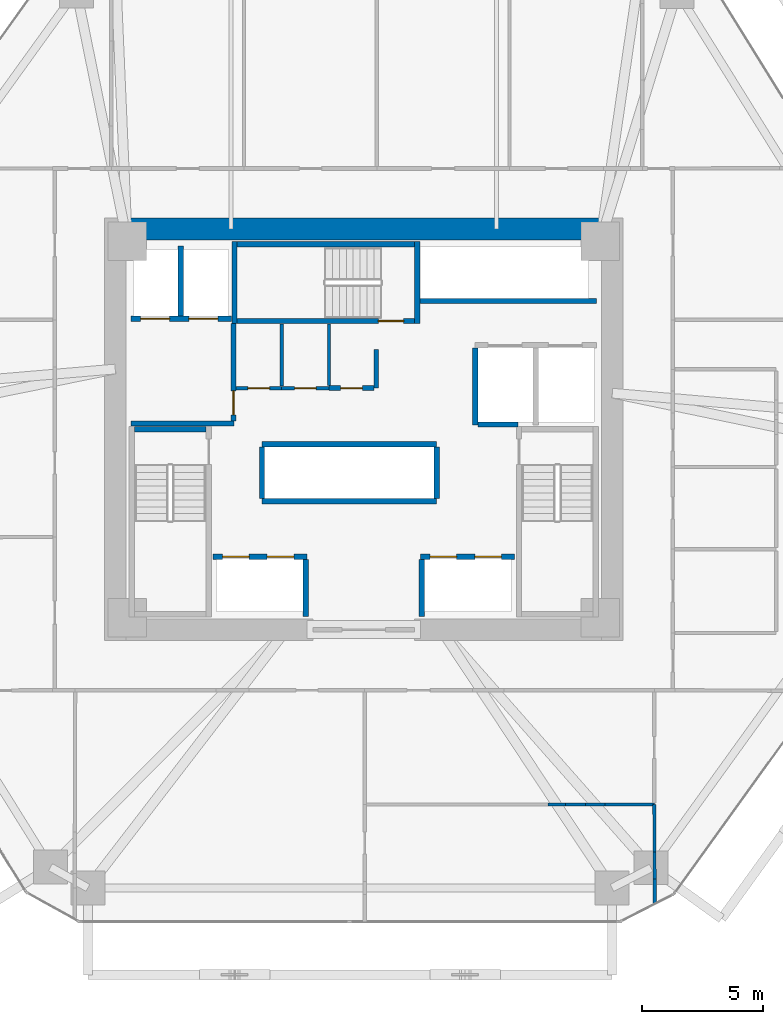
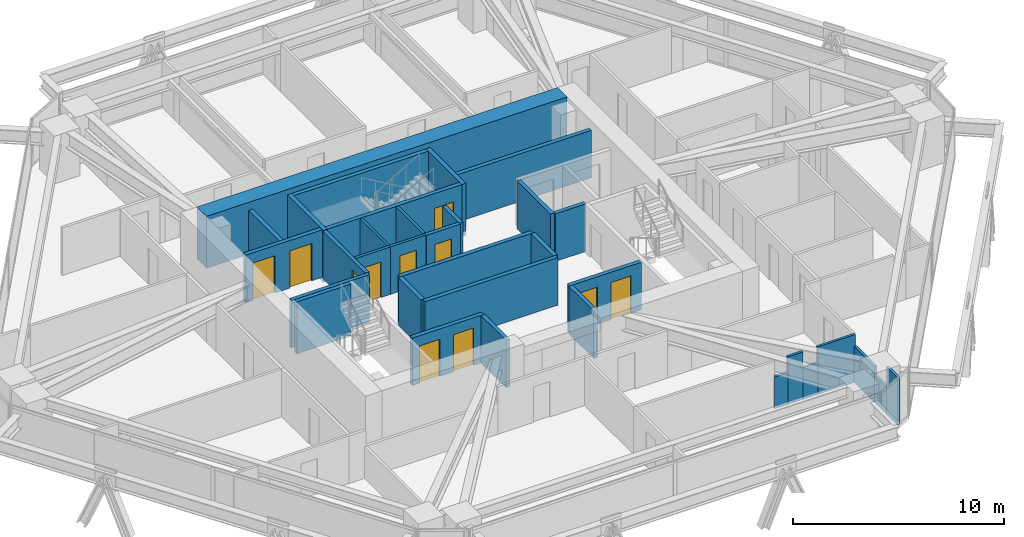
# One storey, part 14 of 18: 34 walls, 11 doors, 11 openings.
"""IFC4 building model written with IfcOpenShell, lengths in metres."""

from ifc_helpers import new_model, si_unit, direction, frame, frame_2d, origin, place, context, subcontext, project, spatial, rectangle, extrude, source, transform, mapped, material, layer, layer_set, type_object, type_shapes, element, fill, save


model = new_model("IFC4")

# Units and contexts
model_context = context("Model", 3, precision=1e-05, world=origin(), true_north=direction((0.0, 1.0)))
body_context = subcontext(model_context, "Body", "Model", "MODEL_VIEW")
ifc_project = project(units=[si_unit("LENGTHUNIT", "METRE"), si_unit("AREAUNIT", "SQUARE_METRE"), si_unit("VOLUMEUNIT", "CUBIC_METRE"), si_unit("PLANEANGLEUNIT", "RADIAN"), si_unit("MASSUNIT", "GRAM", prefix="KILO")], contexts=[model_context])

# Site, building, storey
site_placement = place(None, origin())
site = spatial("IfcSite", under=ifc_project, at=site_placement, CompositionType="ELEMENT")
building_placement = place(site_placement, origin())
building = spatial("IfcBuilding", under=site, at=building_placement, Name="Durnholm Broadcast Tower", CompositionType="ELEMENT")
storey_placement = place(building_placement, frame((0.0, 0.0, 78.300048828125)))
storey = spatial("IfcBuildingStorey", under=building, at=storey_placement, Name="L20", CompositionType="ELEMENT", Elevation=78.300048828125)

# Walls
ifc_material_1 = material(Name="Concrete C70/85", Category="concrete")
ifc_layer_1 = layer(ifc_material_1, 0.89990234375)
ifc_layer_set_1 = layer_set([ifc_layer_1], Name="Concrete C70/85")
wall_type_1 = type_object("IfcWallType", Name="WALL-CW-900", PredefinedType="SHEAR", material=ifc_layer_set_1)
wall_1_placement = place(storey_placement, frame((-9.85009765625, 8.300048828125, 0.0), z_axis=(0.0, 0.0, 1.0), x_axis=(1.0, 0.0, 0.0)))
element("IfcWall", 1, at=wall_1_placement, inside=storey, type_object=wall_type_1, Name="L20 central core shear wall CW-N", PredefinedType="SHEAR", context=body_context, shape_type="SweptSolid", body=[
    extrude(rectangle(XDim=19.7001953125, YDim=0.89990234375, at=frame_2d((9.85009765625, 0.0))), origin(), (0.0, 0.0, 1.0), 3.0),
])
ifc_material_2 = material(Name="Fire-Rated Gypsum Shaftwall", Category="concrete")
ifc_layer_2 = layer(ifc_material_2, 0.199951171875)
ifc_layer_set_2 = layer_set([ifc_layer_2], Name="Fire-Rated Gypsum Shaftwall")
wall_type_2 = type_object("IfcWallType", Name="WALL-LOB-200", PredefinedType="SOLIDWALL", material=ifc_layer_set_2)
wall_2_placement = place(storey_placement, frame((-9.64990234375, 0.25, 0.0), z_axis=(0.0, 0.0, 1.0), x_axis=(1.0, 0.0, 0.0)))
element("IfcWall", 2, at=wall_2_placement, inside=storey, type_object=wall_type_2, Name="L20 Fire Service Access Elevator lobby south wall", PredefinedType="SOLIDWALL", context=body_context, shape_type="SweptSolid", body=[
    extrude(rectangle(XDim=4.27001953125, YDim=0.199951171875, at=frame_2d((2.135009765625, 0.0))), origin(), (0.0, 0.0, 1.0), 2.744873046875),
])

# Wall, opening, door
wall_3_placement = place(storey_placement, frame((-5.39990234375, 0.35400390625, 0.0), z_axis=(0.0, 0.0, 1.0), x_axis=(0.0, 1.0, 0.0)))
wall_3 = element("IfcWall", 3, at=wall_3_placement, inside=storey, type_object=wall_type_2, Name="L20 Fire Service Access Elevator lobby east fire wall", PredefinedType="SOLIDWALL", context=body_context, shape_type="SweptSolid", body=[
    extrude(rectangle(XDim=4.02587890625, YDim=0.199951171875, at=frame_2d((2.012939453125, 0.0))), origin(), (0.0, 0.0, 1.0), 2.744873046875),
])
opening_1_placement = place(wall_3_placement, frame((0.24609375, 0.0, 0.0)))
opening_1 = element("IfcOpeningElement", 4, at=opening_1_placement, cuts=wall_3, Name="Opening DL-60L", PredefinedType="OPENING", context=body_context, shape_type="SweptSolid", body=[
    extrude(rectangle(XDim=1.0, YDim=2.14990234375, at=frame_2d((0.5, 1.074951171875))), frame((0.0, 0.10986328125, 0.0), z_axis=(0.0, -1.0, 0.0), x_axis=(1.0, 0.0, 0.0)), (0.0, 0.0, 1.0), 0.219970703125),
])
ifc_material_3 = material(Name="Fire-Rated Timber/Steel Door", Category="steel")
ifc_layer_3 = layer(ifc_material_3, 0.050048828125)
ifc_layer_set_3 = layer_set([ifc_layer_3], Name="Fire-Rated Timber/Steel Door")
door_type_1 = type_object("IfcDoorType", Name="DOOR-LOB-FD60-L", OperationType="NOTDEFINED", PredefinedType="DOOR", material=ifc_layer_set_3)
shared_shape_1 = source(origin(), body_context, "Body", "SweptSolid", [
    extrude(rectangle(XDim=1.0, YDim=2.14990234375, at=frame_2d((0.5, 1.074951171875))), frame((0.0, 0.02490234375, 0.0), z_axis=(0.0, -1.0, 0.0), x_axis=(1.0, 0.0, 0.0)), (0.0, 0.0, 1.0), 0.050048828125),
])
type_shapes(door_type_1, [shared_shape_1])
door_1_placement = place(opening_1_placement, origin())
door_1 = element("IfcDoor", 5, at=door_1_placement, inside=storey, type_object=door_type_1, Name="L20 Fire Service Access Elevator lobby smoke door", OperationType="SINGLE_SWING_LEFT", OverallHeight=2.14990234375, OverallWidth=1.0, PredefinedType="DOOR", context=body_context, shape_type="MappedRepresentation", body=[
    mapped(shared_shape_1, transform((0.0, 0.0, 0.0), x_axis=(1.0, 0.0, 0.0), y_axis=(0.0, 1.0, 0.0), z_axis=(0.0, 0.0, 1.0), scale=1.0)),
])
fill(opening_1, door_1)

# Wall
wall_4_placement = place(storey_placement, frame((0.52001953125, 3.300048828125, 0.0), z_axis=(0.0, 0.0, 1.0), x_axis=(0.0, -1.0, 0.0)))
element("IfcWall", 6, at=wall_4_placement, inside=storey, type_object=wall_type_2, Name="L20 Core Telecom Patch Room corridor partition", PredefinedType="SOLIDWALL", context=body_context, shape_type="SweptSolid", body=[
    extrude(rectangle(XDim=1.590087890625, YDim=0.199951171875, at=frame_2d((0.794921875, 0.0))), origin(), (0.0, 0.0, 1.0), 2.744873046875),
])

# Wall, opening, door
wall_5_placement = place(storey_placement, frame((0.416015625, 1.7099609375, 0.0), z_axis=(0.0, 0.0, 1.0), x_axis=(-1.0, 0.0, 0.0)))
wall_5 = element("IfcWall", 7, at=wall_5_placement, inside=storey, type_object=wall_type_2, Name="L20 Core Telecom Patch Room corridor partition", PredefinedType="SOLIDWALL", context=body_context, shape_type="SweptSolid", body=[
    extrude(rectangle(XDim=1.85595703125, YDim=0.199951171875, at=frame_2d((0.927978515625, 0.0))), origin(), (0.0, 0.0, 1.0), 2.744873046875),
])
opening_2_placement = place(wall_5_placement, frame((0.47802734375, 0.0, 0.0)))
opening_2 = element("IfcOpeningElement", 8, at=opening_2_placement, cuts=wall_5, Name="Opening DC-60L", PredefinedType="OPENING", context=body_context, shape_type="SweptSolid", body=[
    extrude(rectangle(XDim=0.89990234375, YDim=2.050048828125, at=frame_2d((0.449951171875, 1.02490234375))), frame((0.0, 0.10986328125, 0.0), z_axis=(0.0, -1.0, 0.0), x_axis=(1.0, 0.0, 0.0)), (0.0, 0.0, 1.0), 0.219970703125),
])
ifc_material_4 = material(Name="Fire-Rated Core Service Door", Category="steel")
ifc_layer_4 = layer(ifc_material_4, 0.050048828125)
ifc_layer_set_4 = layer_set([ifc_layer_4], Name="Fire-Rated Core Service Door")
door_type_2 = type_object("IfcDoorType", Name="DOOR-CORE-FD60-L", OperationType="NOTDEFINED", PredefinedType="DOOR", material=ifc_layer_set_4)
shared_shape_2 = source(origin(), body_context, "Body", "SweptSolid", [
    extrude(rectangle(XDim=0.89990234375, YDim=2.050048828125, at=frame_2d((0.449951171875, 1.02490234375))), frame((0.0, 0.02490234375, 0.0), z_axis=(0.0, -1.0, 0.0), x_axis=(1.0, 0.0, 0.0)), (0.0, 0.0, 1.0), 0.050048828125),
])
type_shapes(door_type_2, [shared_shape_2])
door_2_placement = place(opening_2_placement, origin())
door_2 = element("IfcDoor", 9, at=door_2_placement, inside=storey, type_object=door_type_2, Name="L20 Core Telecom Patch Room entrance door", OperationType="SINGLE_SWING_LEFT", OverallHeight=2.050048828125, OverallWidth=0.89990234375, PredefinedType="DOOR", context=body_context, shape_type="MappedRepresentation", body=[
    mapped(shared_shape_2, transform((0.0, 0.0, 0.0), x_axis=(1.0, 0.0, 0.0), y_axis=(0.0, 1.0, 0.0), z_axis=(0.0, 0.0, 1.0), scale=1.0)),
])
fill(opening_2, door_2)

# Walls
ifc_material_5 = material(Name="Gypsum Metal Stud Partition", Category="concrete")
ifc_layer_5 = layer(ifc_material_5, 0.135009765625)
ifc_layer_set_5 = layer_set([ifc_layer_5], Name="Gypsum Metal Stud Partition")
wall_type_3 = type_object("IfcWallType", Name="WALL-PART-135", PredefinedType="PARTITIONING", material=ifc_layer_set_5)
wall_6_placement = place(storey_placement, frame((-3.39990234375, 4.375, 0.0), z_axis=(0.0, 0.0, 1.0), x_axis=(0.0, -1.0, 0.0)))
element("IfcWall", 10, at=wall_6_placement, inside=storey, type_object=wall_type_3, Name="L20 room dividing partition 1.2", PredefinedType="PARTITIONING", context=body_context, shape_type="SweptSolid", body=[
    extrude(rectangle(XDim=2.5859375, YDim=0.135009765625, at=frame_2d((1.29296875, 0.0))), origin(), (0.0, 0.0, 1.0), 2.744873046875),
])
wall_7_placement = place(storey_placement, frame((-1.43994140625, 4.375, 0.0), z_axis=(0.0, 0.0, 1.0), x_axis=(0.0, -1.0, 0.0)))
element("IfcWall", 11, at=wall_7_placement, inside=storey, type_object=wall_type_3, Name="L20 room dividing partition 2.3", PredefinedType="PARTITIONING", context=body_context, shape_type="SweptSolid", body=[
    extrude(rectangle(XDim=2.56103515625, YDim=0.135009765625, at=frame_2d((1.280517578125, 0.0))), origin(), (0.0, 0.0, 1.0), 2.744873046875),
])
wall_8_placement = place(storey_placement, frame((8.35791015625, -15.544921875, 0.0), z_axis=(0.0, 0.0, 1.0), x_axis=(1.0, 0.0, 0.0)))
element("IfcWall", 12, at=wall_8_placement, inside=storey, type_object=wall_type_3, Name="L20 room dividing partition 15.16", PredefinedType="PARTITIONING", context=body_context, shape_type="SweptSolid", body=[
    extrude(rectangle(XDim=0.831787109375, YDim=0.135009765625, at=frame_2d((0.416015625, 0.0))), origin(), (0.0, 0.0, 1.0), 2.744873046875),
])
wall_9_placement = place(storey_placement, frame((9.995361328125, -15.544921875, 0.0), z_axis=(0.0, 0.0, 1.0), x_axis=(1.0, 0.0, 0.0)))
element("IfcWall", 13, at=wall_9_placement, inside=storey, type_object=wall_type_3, Name="L20 room dividing partition 15.16", PredefinedType="PARTITIONING", context=body_context, shape_type="SweptSolid", body=[
    extrude(rectangle(XDim=2.044677734375, YDim=0.135009765625, at=frame_2d((1.0224609375, 0.0))), origin(), (0.0, 0.0, 1.0), 2.744873046875),
])
wall_10_placement = place(storey_placement, frame((7.633544921875, -15.544921875, 0.0), z_axis=(0.0, 0.0, 1.0), x_axis=(1.0, 0.0, 0.0)))
element("IfcWall", 14, at=wall_10_placement, inside=storey, type_object=wall_type_3, Name="L20 room dividing partition 15.16", PredefinedType="PARTITIONING", context=body_context, shape_type="SweptSolid", body=[
    extrude(rectangle(XDim=0.724365234375, YDim=0.135009765625, at=frame_2d((0.3623046875, 0.0))), origin(), (0.0, 0.0, 1.0), 1.830078125),
])
wall_11_placement = place(storey_placement, frame((9.189697265625, -15.544921875, 0.0), z_axis=(0.0, 0.0, 1.0), x_axis=(1.0, 0.0, 0.0)))
element("IfcWall", 15, at=wall_11_placement, inside=storey, type_object=wall_type_3, Name="L20 room dividing partition 15.16", PredefinedType="PARTITIONING", context=body_context, shape_type="SweptSolid", body=[
    extrude(rectangle(XDim=0.8056640625, YDim=0.135009765625, at=frame_2d((0.40283203125, 0.0))), origin(), (0.0, 0.0, 1.0), 1.830078125),
])
wall_12_placement = place(storey_placement, frame((12.0400390625, -15.544921875, 0.0), z_axis=(0.0, 0.0, 1.0), x_axis=(0.004326288313, -0.999990641571, 0.0)))
element("IfcWall", 16, at=wall_12_placement, inside=storey, type_object=wall_type_3, Name="L20 room dividing partition 15.17", PredefinedType="PARTITIONING", context=body_context, shape_type="SweptSolid", body=[
    extrude(rectangle(XDim=1.97509765625, YDim=0.135009765625, at=frame_2d((0.987548828125, 0.0))), origin(), (0.0, 0.0, 1.0), 2.079833984375),
])
wall_13_placement = place(storey_placement, frame((12.0537109375, -18.634521484375, 0.0), z_axis=(0.0, 0.0, 1.0), x_axis=(0.004268398394, -0.999990890346, 0.0)))
element("IfcWall", 17, at=wall_13_placement, inside=storey, type_object=wall_type_3, Name="L20 room dividing partition 15.17", PredefinedType="PARTITIONING", context=body_context, shape_type="SweptSolid", body=[
    extrude(rectangle(XDim=1.029541015625, YDim=0.135009765625, at=frame_2d((0.5146484375, 0.0))), origin(), (0.0, 0.0, 1.0), 2.744873046875),
])
wall_14_placement = place(storey_placement, frame((12.048583984375, -17.52001953125, 0.0), z_axis=(0.0, 0.0, 1.0), x_axis=(0.004600170384, -0.99998941916, 0.0)))
element("IfcWall", 18, at=wall_14_placement, inside=storey, type_object=wall_type_3, Name="L20 room dividing partition 15.17", PredefinedType="PARTITIONING", context=body_context, shape_type="SweptSolid", body=[
    extrude(rectangle(XDim=1.114501953125, YDim=0.135009765625, at=frame_2d((0.55712890625, 0.0))), origin(), (0.0, 0.0, 1.0), 1.5771484375),
])

# Wall, opening, door
ifc_material_6 = material(Name="Acoustic Gypsum Stud Partition", Category="concrete")
ifc_layer_6 = layer(ifc_material_6, 0.14990234375)
ifc_layer_set_6 = layer_set([ifc_layer_6], Name="Acoustic Gypsum Stud Partition")
wall_type_4 = type_object("IfcWallType", Name="WALL-PART-150", PredefinedType="PARTITIONING", material=ifc_layer_set_6)
wall_15_placement = place(storey_placement, frame((-3.39990234375, 1.7099609375, 0.0), z_axis=(0.0, 0.0, 1.0), x_axis=(-1.0, 0.0, 0.0)))
wall_15 = element("IfcWall", 19, at=wall_15_placement, inside=storey, type_object=wall_type_4, Name="L20 Core Copy and Print Closet corridor partition", PredefinedType="PARTITIONING", context=body_context, shape_type="SweptSolid", body=[
    extrude(rectangle(XDim=1.89599609375, YDim=0.14990234375, at=frame_2d((0.947998046875, 0.0))), origin(), (0.0, 0.0, 1.0), 2.744873046875),
])
opening_3_placement = place(wall_15_placement, frame((0.498046875, 0.0, 0.0)))
opening_3 = element("IfcOpeningElement", 20, at=opening_3_placement, cuts=wall_15, Name="Opening DC-60L", PredefinedType="OPENING", context=body_context, shape_type="SweptSolid", body=[
    extrude(rectangle(XDim=0.89990234375, YDim=2.050048828125, at=frame_2d((0.449951171875, 1.02490234375))), frame((0.0, 0.0849609375, 0.0), z_axis=(0.0, -1.0, 0.0), x_axis=(1.0, 0.0, 0.0)), (0.0, 0.0, 1.0), 0.169921875),
])
door_3_placement = place(opening_3_placement, origin())
door_3 = element("IfcDoor", 21, at=door_3_placement, inside=storey, type_object=door_type_2, Name="L20 Core Copy and Print Closet entrance door", OperationType="SINGLE_SWING_LEFT", OverallHeight=2.050048828125, OverallWidth=0.89990234375, PredefinedType="DOOR", context=body_context, shape_type="MappedRepresentation", body=[
    mapped(shared_shape_2, transform((0.0, 0.0, 0.0), x_axis=(1.0, 0.0, 0.0), y_axis=(0.0, 1.0, 0.0), z_axis=(0.0, 0.0, 1.0), scale=1.0)),
])
fill(opening_3, door_3)

wall_16_placement = place(storey_placement, frame((-1.43994140625, 1.7099609375, 0.0), z_axis=(0.0, 0.0, 1.0), x_axis=(-1.0, 0.0, 0.0)))
wall_16 = element("IfcWall", 22, at=wall_16_placement, inside=storey, type_object=wall_type_4, Name="L20 Core Janitor Supply Closet corridor partition", PredefinedType="PARTITIONING", context=body_context, shape_type="SweptSolid", body=[
    extrude(rectangle(XDim=1.9599609375, YDim=0.14990234375, at=frame_2d((0.97998046875, 0.0))), origin(), (0.0, 0.0, 1.0), 2.744873046875),
])
opening_4_placement = place(wall_16_placement, frame((0.530029296875, 0.0, 0.0)))
opening_4 = element("IfcOpeningElement", 23, at=opening_4_placement, cuts=wall_16, Name="Opening DC-60R", PredefinedType="OPENING", context=body_context, shape_type="SweptSolid", body=[
    extrude(rectangle(XDim=0.89990234375, YDim=2.050048828125, at=frame_2d((0.449951171875, 1.02490234375))), frame((0.0, 0.0849609375, 0.0), z_axis=(0.0, -1.0, 0.0), x_axis=(1.0, 0.0, 0.0)), (0.0, 0.0, 1.0), 0.169921875),
])
ifc_layer_7 = layer(ifc_material_4, 0.050048828125)
ifc_layer_set_7 = layer_set([ifc_layer_7], Name="Fire-Rated Core Service Door")
door_type_3 = type_object("IfcDoorType", Name="DOOR-CORE-FD60-R", OperationType="NOTDEFINED", PredefinedType="DOOR", material=ifc_layer_set_7)
shared_shape_3 = source(origin(), body_context, "Body", "SweptSolid", [
    extrude(rectangle(XDim=0.89990234375, YDim=2.050048828125, at=frame_2d((0.449951171875, 1.02490234375))), frame((0.0, 0.02490234375, 0.0), z_axis=(0.0, -1.0, 0.0), x_axis=(1.0, 0.0, 0.0)), (0.0, 0.0, 1.0), 0.050048828125),
])
type_shapes(door_type_3, [shared_shape_3])
door_4_placement = place(opening_4_placement, origin())
door_4 = element("IfcDoor", 24, at=door_4_placement, inside=storey, type_object=door_type_3, Name="L20 Core Janitor Supply Closet entrance door", OperationType="SINGLE_SWING_RIGHT", OverallHeight=2.050048828125, OverallWidth=0.89990234375, PredefinedType="DOOR", context=body_context, shape_type="MappedRepresentation", body=[
    mapped(shared_shape_3, transform((0.0, 0.0, 0.0), x_axis=(1.0, 0.0, 0.0), y_axis=(0.0, 1.0, 0.0), z_axis=(0.0, 0.0, 1.0), scale=1.0)),
])
fill(opening_4, door_4)

# Wall, openings, doors
ifc_material_7 = material(Name="Concrete Blockwork C30/37", Category="masonry")
ifc_layer_8 = layer(ifc_material_7, 0.219970703125)
ifc_layer_set_8 = layer_set([ifc_layer_8], Name="Concrete Blockwork C30/37")
wall_type_5 = type_object("IfcWallType", Name="WALL-SHAFT-220", PredefinedType="SOLIDWALL", material=ifc_layer_set_8)
wall_17_placement = place(storey_placement, frame((-9.64990234375, 4.580078125, 0.0), z_axis=(0.0, 0.0, 1.0), x_axis=(1.0, 0.0, 0.0)))
wall_17 = element("IfcWall", 25, at=wall_17_placement, inside=storey, type_object=wall_type_5, Name="L20 FSAE hoistway front fire wall", PredefinedType="SOLIDWALL", context=body_context, shape_type="SweptSolid", body=[
    extrude(rectangle(XDim=4.1748046875, YDim=0.219970703125, at=frame_2d((2.08740234375, 0.0))), origin(), (0.0, 0.0, 1.0), 2.744873046875),
])
opening_5_placement = place(wall_17_placement, frame((0.39990234375, 0.0, 0.0)))
opening_5 = element("IfcOpeningElement", 26, at=opening_5_placement, cuts=wall_17, Name="Opening LD-FSAE-2", PredefinedType="OPENING", context=body_context, shape_type="SweptSolid", body=[
    extrude(rectangle(XDim=1.199951171875, YDim=2.14990234375, at=frame_2d((0.60009765625, 1.074951171875))), frame((0.0, 0.1201171875, 0.0), z_axis=(0.0, -1.0, 0.0), x_axis=(1.0, 0.0, 0.0)), (0.0, 0.0, 1.0), 0.239990234375),
])
opening_6_placement = place(wall_17_placement, frame((2.39990234375, 0.0, 0.0)))
opening_6 = element("IfcOpeningElement", 27, at=opening_6_placement, cuts=wall_17, Name="Opening LD-FSAE-1", PredefinedType="OPENING", context=body_context, shape_type="SweptSolid", body=[
    extrude(rectangle(XDim=1.199951171875, YDim=2.14990234375, at=frame_2d((0.60009765625, 1.074951171875))), frame((0.0, 0.1201171875, 0.0), z_axis=(0.0, -1.0, 0.0), x_axis=(1.0, 0.0, 0.0)), (0.0, 0.0, 1.0), 0.239990234375),
])
ifc_material_8 = material(Name="Fire Service Access Sliding Landing Door", Category="steel")
ifc_layer_9 = layer(ifc_material_8, 0.050048828125)
ifc_layer_set_9 = layer_set([ifc_layer_9], Name="Fire Service Access Sliding Landing Door")
door_type_4 = type_object("IfcDoorType", Name="DOOR-LIFT-FSAE", OperationType="DOUBLE_DOOR_SLIDING", PredefinedType="DOOR", material=ifc_layer_set_9)
shared_shape_4 = source(origin(), body_context, "Body", "SweptSolid", [
    extrude(rectangle(XDim=1.199951171875, YDim=2.14990234375, at=frame_2d((0.60009765625, 1.074951171875))), frame((0.0, 0.02490234375, 0.0), z_axis=(0.0, -1.0, 0.0), x_axis=(1.0, 0.0, 0.0)), (0.0, 0.0, 1.0), 0.050048828125),
])
type_shapes(door_type_4, [shared_shape_4])
door_5_placement = place(opening_5_placement, origin())
door_5 = element("IfcDoor", 28, at=door_5_placement, inside=storey, type_object=door_type_4, Name="L20 Fire Service Access Elevator FSAE-2 sliding landing door", OperationType="DOUBLE_DOOR_SLIDING", OverallHeight=2.14990234375, OverallWidth=1.199951171875, PredefinedType="DOOR", context=body_context, shape_type="MappedRepresentation", body=[
    mapped(shared_shape_4, transform((0.0, 0.0, 0.0), x_axis=(1.0, 0.0, 0.0), y_axis=(0.0, 1.0, 0.0), z_axis=(0.0, 0.0, 1.0), scale=1.0)),
])
fill(opening_5, door_5)
door_6_placement = place(opening_6_placement, origin())
door_6 = element("IfcDoor", 29, at=door_6_placement, inside=storey, type_object=door_type_4, Name="L20 Fire Service Access Elevator FSAE-1 sliding landing door", OperationType="DOUBLE_DOOR_SLIDING", OverallHeight=2.14990234375, OverallWidth=1.199951171875, PredefinedType="DOOR", context=body_context, shape_type="MappedRepresentation", body=[
    mapped(shared_shape_4, transform((0.0, 0.0, 0.0), x_axis=(1.0, 0.0, 0.0), y_axis=(0.0, 1.0, 0.0), z_axis=(0.0, 0.0, 1.0), scale=1.0)),
])
fill(opening_6, door_6)

# Walls
wall_18_placement = place(storey_placement, frame((-7.580078125, 4.694091796875, 0.0), z_axis=(0.0, 0.0, 1.0), x_axis=(0.0, 1.0, 0.0)))
element("IfcWall", 30, at=wall_18_placement, inside=storey, type_object=wall_type_5, Name="L20 FSAE shaft divider wall", PredefinedType="SOLIDWALL", context=body_context, shape_type="SweptSolid", body=[
    extrude(rectangle(XDim=2.906005859375, YDim=0.219970703125, at=frame_2d((1.453125, 0.0))), origin(), (0.0, 0.0, 1.0), 2.744873046875),
])
wall_19_placement = place(storey_placement, frame((4.6201171875, 0.179931640625, 0.0), z_axis=(0.0, 0.0, 1.0), x_axis=(0.0, 1.0, 0.0)))
element("IfcWall", 31, at=wall_19_placement, inside=storey, type_object=wall_type_5, Name="L20 freight service lift SVL-2 west wall", PredefinedType="SOLIDWALL", context=body_context, shape_type="SweptSolid", body=[
    extrude(rectangle(XDim=3.18603515625, YDim=0.219970703125, at=frame_2d((1.593017578125, 0.0))), origin(), (0.0, 0.0, 1.0), 2.744873046875),
])
wall_20_placement = place(storey_placement, frame((4.73388671875, 0.199951171875, 0.0), z_axis=(0.0, 0.0, 1.0), x_axis=(1.0, 0.0, 0.0)))
element("IfcWall", 32, at=wall_20_placement, inside=storey, type_object=wall_type_5, Name="L20 freight service lift SVL-2 south wall", PredefinedType="SOLIDWALL", context=body_context, shape_type="SweptSolid", body=[
    extrude(rectangle(XDim=1.666015625, YDim=0.219970703125, at=frame_2d((0.8330078125, 0.0))), origin(), (0.0, 0.0, 1.0), 2.744873046875),
])

# Wall, openings, doors
wall_21_placement = place(storey_placement, frame((-6.25, -5.280029296875, 0.0), z_axis=(0.0, 0.0, 1.0), x_axis=(1.0, 0.0, 0.0)))
wall_21 = element("IfcWall", 33, at=wall_21_placement, inside=storey, type_object=wall_type_5, Name="L20 low-rise bank P1 west front wall", PredefinedType="SOLIDWALL", context=body_context, shape_type="SweptSolid", body=[
    extrude(rectangle(XDim=3.89990234375, YDim=0.219970703125, at=frame_2d((1.949951171875, 0.0))), origin(), (0.0, 0.0, 1.0), 2.744873046875),
])
opening_7_placement = place(wall_21_placement, frame((0.39990234375, 0.0, 0.0)))
opening_7 = element("IfcOpeningElement", 34, at=opening_7_placement, cuts=wall_21, Name="Opening LD-LP1-1", PredefinedType="OPENING", context=body_context, shape_type="SweptSolid", body=[
    extrude(rectangle(XDim=1.10009765625, YDim=2.14990234375, at=frame_2d((0.550048828125, 1.074951171875))), frame((0.0, 0.1201171875, 0.0), z_axis=(0.0, -1.0, 0.0), x_axis=(1.0, 0.0, 0.0)), (0.0, 0.0, 1.0), 0.239990234375),
])
opening_8_placement = place(wall_21_placement, frame((2.25, 0.0, 0.0)))
opening_8 = element("IfcOpeningElement", 35, at=opening_8_placement, cuts=wall_21, Name="Opening LD-LP1-2", PredefinedType="OPENING", context=body_context, shape_type="SweptSolid", body=[
    extrude(rectangle(XDim=1.10009765625, YDim=2.14990234375, at=frame_2d((0.550048828125, 1.074951171875))), frame((0.0, 0.1201171875, 0.0), z_axis=(0.0, -1.0, 0.0), x_axis=(1.0, 0.0, 0.0)), (0.0, 0.0, 1.0), 0.239990234375),
])
ifc_material_9 = material(Name="Stainless Steel Sliding Elevator Landing Door", Category="steel")
ifc_layer_10 = layer(ifc_material_9, 0.050048828125)
ifc_layer_set_10 = layer_set([ifc_layer_10], Name="Stainless Steel Sliding Elevator Landing Door")
door_type_5 = type_object("IfcDoorType", Name="DOOR-LIFT-PAX", OperationType="DOUBLE_DOOR_SLIDING", PredefinedType="DOOR", material=ifc_layer_set_10)
shared_shape_5 = source(origin(), body_context, "Body", "SweptSolid", [
    extrude(rectangle(XDim=1.10009765625, YDim=2.14990234375, at=frame_2d((0.550048828125, 1.074951171875))), frame((0.0, 0.02490234375, 0.0), z_axis=(0.0, -1.0, 0.0), x_axis=(1.0, 0.0, 0.0)), (0.0, 0.0, 1.0), 0.050048828125),
])
type_shapes(door_type_5, [shared_shape_5])
door_7_placement = place(opening_7_placement, origin())
door_7 = element("IfcDoor", 36, at=door_7_placement, inside=storey, type_object=door_type_5, Name="L20 passenger elevator LP1-1 sliding landing door", OperationType="DOUBLE_DOOR_SLIDING", OverallHeight=2.14990234375, OverallWidth=1.10009765625, PredefinedType="DOOR", context=body_context, shape_type="MappedRepresentation", body=[
    mapped(shared_shape_5, transform((0.0, 0.0, 0.0), x_axis=(1.0, 0.0, 0.0), y_axis=(0.0, 1.0, 0.0), z_axis=(0.0, 0.0, 1.0), scale=1.0)),
])
fill(opening_7, door_7)
door_8_placement = place(opening_8_placement, origin())
door_8 = element("IfcDoor", 37, at=door_8_placement, inside=storey, type_object=door_type_5, Name="L20 passenger elevator LP1-2 sliding landing door", OperationType="DOUBLE_DOOR_SLIDING", OverallHeight=2.14990234375, OverallWidth=1.10009765625, PredefinedType="DOOR", context=body_context, shape_type="MappedRepresentation", body=[
    mapped(shared_shape_5, transform((0.0, 0.0, 0.0), x_axis=(1.0, 0.0, 0.0), y_axis=(0.0, 1.0, 0.0), z_axis=(0.0, 0.0, 1.0), scale=1.0)),
])
fill(opening_8, door_8)

wall_22_placement = place(storey_placement, frame((2.35009765625, -5.280029296875, 0.0), z_axis=(0.0, 0.0, 1.0), x_axis=(1.0, 0.0, 0.0)))
wall_22 = element("IfcWall", 38, at=wall_22_placement, inside=storey, type_object=wall_type_5, Name="L20 low-rise bank P1 east front wall", PredefinedType="SOLIDWALL", context=body_context, shape_type="SweptSolid", body=[
    extrude(rectangle(XDim=3.89990234375, YDim=0.219970703125, at=frame_2d((1.949951171875, 0.0))), origin(), (0.0, 0.0, 1.0), 2.744873046875),
])
opening_9_placement = place(wall_22_placement, frame((0.39990234375, 0.0, 0.0)))
opening_9 = element("IfcOpeningElement", 39, at=opening_9_placement, cuts=wall_22, Name="Opening LD-LP1-3", PredefinedType="OPENING", context=body_context, shape_type="SweptSolid", body=[
    extrude(rectangle(XDim=1.10009765625, YDim=2.14990234375, at=frame_2d((0.550048828125, 1.074951171875))), frame((0.0, 0.1201171875, 0.0), z_axis=(0.0, -1.0, 0.0), x_axis=(1.0, 0.0, 0.0)), (0.0, 0.0, 1.0), 0.239990234375),
])
opening_10_placement = place(wall_22_placement, frame((2.25, 0.0, 0.0)))
opening_10 = element("IfcOpeningElement", 40, at=opening_10_placement, cuts=wall_22, Name="Opening LD-LP1-4", PredefinedType="OPENING", context=body_context, shape_type="SweptSolid", body=[
    extrude(rectangle(XDim=1.10009765625, YDim=2.14990234375, at=frame_2d((0.550048828125, 1.074951171875))), frame((0.0, 0.1201171875, 0.0), z_axis=(0.0, -1.0, 0.0), x_axis=(1.0, 0.0, 0.0)), (0.0, 0.0, 1.0), 0.239990234375),
])
door_9_placement = place(opening_9_placement, origin())
door_9 = element("IfcDoor", 41, at=door_9_placement, inside=storey, type_object=door_type_5, Name="L20 passenger elevator LP1-3 sliding landing door", OperationType="DOUBLE_DOOR_SLIDING", OverallHeight=2.14990234375, OverallWidth=1.10009765625, PredefinedType="DOOR", context=body_context, shape_type="MappedRepresentation", body=[
    mapped(shared_shape_5, transform((0.0, 0.0, 0.0), x_axis=(1.0, 0.0, 0.0), y_axis=(0.0, 1.0, 0.0), z_axis=(0.0, 0.0, 1.0), scale=1.0)),
])
fill(opening_9, door_9)
door_10_placement = place(opening_10_placement, origin())
door_10 = element("IfcDoor", 42, at=door_10_placement, inside=storey, type_object=door_type_5, Name="L20 passenger elevator LP1-4 sliding landing door", OperationType="DOUBLE_DOOR_SLIDING", OverallHeight=2.14990234375, OverallWidth=1.10009765625, PredefinedType="DOOR", context=body_context, shape_type="MappedRepresentation", body=[
    mapped(shared_shape_5, transform((0.0, 0.0, 0.0), x_axis=(1.0, 0.0, 0.0), y_axis=(0.0, 1.0, 0.0), z_axis=(0.0, 0.0, 1.0), scale=1.0)),
])
fill(opening_10, door_10)

# Walls
for number, where, z_axis, x_axis, name in (
    (43, (-2.39990234375, -7.75, 0.0), (0.0, 0.0, 1.0), (0.0, 1.0, 0.0), "L20 low-rise bank P1 west mouth wall"),
    (44, (2.39990234375, -7.75, 0.0), (0.0, 0.0, 1.0), (0.0, 1.0, 0.0), "L20 low-rise bank P1 east mouth wall"),
):
    element("IfcWall", number, at=place(storey_placement, frame(where, z_axis=z_axis, x_axis=x_axis)), inside=storey, type_object=wall_type_5, Name=name, PredefinedType="SOLIDWALL", context=body_context, shape_type="SweptSolid", body=[
        extrude(rectangle(XDim=2.35595703125, YDim=0.219970703125, at=frame_2d((1.177978515625, 0.0))), origin(), (0.0, 0.0, 1.0), 2.744873046875),
    ])
for number, where, z_axis, x_axis, name in (
    (45, (-4.219970703125, -2.97998046875, 0.0), (0.0, 0.0, 1.0), (1.0, 0.0, 0.0), "L20 mid-rise bank P2 south front wall"),
    (46, (-4.219970703125, -0.6201171875, 0.0), (0.0, 0.0, 1.0), (1.0, 0.0, 0.0), "L20 mid-rise bank P2 north shaft wall"),
):
    element("IfcWall", number, at=place(storey_placement, frame(where, z_axis=z_axis, x_axis=x_axis)), inside=storey, type_object=wall_type_5, Name=name, PredefinedType="SOLIDWALL", context=body_context, shape_type="SweptSolid", body=[
        extrude(rectangle(XDim=7.239990234375, YDim=0.219970703125, at=frame_2d((3.6201171875, 0.0))), origin(), (0.0, 0.0, 1.0), 2.744873046875),
    ])
for number, where, z_axis, x_axis, name in (
    (47, (-4.219970703125, -2.865966796875, 0.0), (0.0, 0.0, 1.0), (0.0, 1.0, 0.0), "L20 mid-rise bank P2 west shaft wall"),
    (48, (3.02001953125, -2.865966796875, 0.0), (0.0, 0.0, 1.0), (0.0, 1.0, 0.0), "L20 mid-rise bank P2 east shaft wall"),
):
    element("IfcWall", number, at=place(storey_placement, frame(where, z_axis=z_axis, x_axis=x_axis)), inside=storey, type_object=wall_type_5, Name=name, PredefinedType="SOLIDWALL", context=body_context, shape_type="SweptSolid", body=[
        extrude(rectangle(XDim=2.132080078125, YDim=0.219970703125, at=frame_2d((1.06591796875, 0.0))), origin(), (0.0, 0.0, 1.0), 2.744873046875),
    ])
wall_23_placement = place(storey_placement, frame((2.324951171875, 5.320068359375, 0.0), z_axis=(0.0, 0.0, 1.0), x_axis=(1.0, 0.0, 0.0)))
element("IfcWall", 49, at=wall_23_placement, inside=storey, type_object=wall_type_5, Name="L20 high-rise bank P3 south front wall", PredefinedType="SOLIDWALL", context=body_context, shape_type="SweptSolid", body=[
    extrude(rectangle(XDim=7.324951171875, YDim=0.219970703125, at=frame_2d((3.66259765625, 0.0))), origin(), (0.0, 0.0, 1.0), 2.744873046875),
])
ifc_material_10 = material(Name="Concrete C50/60", Category="concrete")
ifc_layer_11 = layer(ifc_material_10, 0.219970703125)
ifc_layer_set_11 = layer_set([ifc_layer_11], Name="Concrete C50/60")
wall_type_6 = type_object("IfcWallType", Name="WALL-SW-220", PredefinedType="SHEAR", material=ifc_layer_set_11)
wall_24_placement = place(storey_placement, frame((-6.5400390625, 0.010009765625, -0.239990234375), z_axis=(0.0, 0.0, 1.0), x_axis=(-1.0, 0.0, 0.0)))
element("IfcWall", 50, at=wall_24_placement, inside=storey, type_object=wall_type_6, Name="L20 stair ST-1 structural shaft wall N", PredefinedType="SHEAR", context=body_context, shape_type="SweptSolid", body=[
    extrude(rectangle(XDim=2.9599609375, YDim=0.219970703125, at=frame_2d((1.47998046875, 0.0))), origin(), (0.0, 0.0, 1.0), 3.0),
])
for number, where, z_axis, x_axis, name in (
    (51, (2.2099609375, 4.3798828125, -0.239990234375), (0.0, 0.0, 1.0), (0.0, 1.0, 0.0), "L20 stair ST-3 structural shaft wall E"),
    (52, (-5.360107421875, 7.780029296875, -0.239990234375), (0.0, 0.0, 1.0), (0.0, -1.0, 0.0), "L20 stair ST-3 structural shaft wall W"),
):
    element("IfcWall", number, at=place(storey_placement, frame(where, z_axis=z_axis, x_axis=x_axis)), inside=storey, type_object=wall_type_6, Name=name, PredefinedType="SHEAR", context=body_context, shape_type="SweptSolid", body=[
        extrude(rectangle(XDim=3.400146484375, YDim=0.219970703125, at=frame_2d((1.7001953125, 0.0))), origin(), (0.0, 0.0, 1.0), 3.0),
    ])

# Wall, opening, door
wall_25_placement = place(storey_placement, frame((-5.25, 4.489990234375, -0.239990234375), z_axis=(0.0, 0.0, 1.0), x_axis=(1.0, 0.0, 0.0)))
wall_25 = element("IfcWall", 53, at=wall_25_placement, inside=storey, type_object=wall_type_6, Name="L20 stair ST-3 structural shaft wall S", PredefinedType="SHEAR", context=body_context, shape_type="SweptSolid", body=[
    extrude(rectangle(XDim=7.35009765625, YDim=0.219970703125, at=frame_2d((3.675048828125, 0.0))), origin(), (0.0, 0.0, 1.0), 3.0),
])
opening_11_placement = place(wall_25_placement, frame((5.85009765625, 0.0, 0.0)))
opening_11 = element("IfcOpeningElement", 54, at=opening_11_placement, cuts=wall_25, Name="Opening DS-90L", PredefinedType="OPENING", context=body_context, shape_type="SweptSolid", body=[
    extrude(rectangle(XDim=1.050048828125, YDim=2.14990234375, at=frame_2d((0.52490234375, 1.074951171875))), frame((0.0, 0.1201171875, 0.0), z_axis=(0.0, -1.0, 0.0), x_axis=(1.0, 0.0, 0.0)), (0.0, 0.0, 1.0), 0.239990234375),
])
ifc_material_11 = material(Name="Fire-Rated Steel Door", Category="steel")
ifc_layer_12 = layer(ifc_material_11, 0.050048828125)
ifc_layer_set_12 = layer_set([ifc_layer_12], Name="Fire-Rated Steel Door")
door_type_6 = type_object("IfcDoorType", Name="DOOR-ST-FD90-L", OperationType="NOTDEFINED", PredefinedType="DOOR", material=ifc_layer_set_12)
shared_shape_6 = source(origin(), body_context, "Body", "SweptSolid", [
    extrude(rectangle(XDim=1.050048828125, YDim=2.14990234375, at=frame_2d((0.52490234375, 1.074951171875))), frame((0.0, 0.02490234375, 0.0), z_axis=(0.0, -1.0, 0.0), x_axis=(1.0, 0.0, 0.0)), (0.0, 0.0, 1.0), 0.050048828125),
])
type_shapes(door_type_6, [shared_shape_6])
door_11_placement = place(opening_11_placement, origin())
door_11 = element("IfcDoor", 55, at=door_11_placement, inside=storey, type_object=door_type_6, Name="L20 exit stair ST-3 fire door", OperationType="SINGLE_SWING_LEFT", OverallHeight=2.14990234375, OverallWidth=1.050048828125, PredefinedType="DOOR", context=body_context, shape_type="MappedRepresentation", body=[
    mapped(shared_shape_6, transform((0.0, 0.0, 0.0), x_axis=(1.0, 0.0, 0.0), y_axis=(0.0, 1.0, 0.0), z_axis=(0.0, 0.0, 1.0), scale=1.0)),
])
fill(opening_11, door_11)

# Wall
wall_26_placement = place(storey_placement, frame((2.10009765625, 7.669921875, -0.239990234375), z_axis=(0.0, 0.0, 1.0), x_axis=(-1.0, 0.0, 0.0)))
element("IfcWall", 56, at=wall_26_placement, inside=storey, type_object=wall_type_6, Name="L20 stair ST-3 structural shaft wall N", PredefinedType="SHEAR", context=body_context, shape_type="SweptSolid", body=[
    extrude(rectangle(XDim=7.35009765625, YDim=0.219970703125, at=frame_2d((3.675048828125, 0.0))), origin(), (0.0, 0.0, 1.0), 3.0),
])

save(model, "model.ifc")
